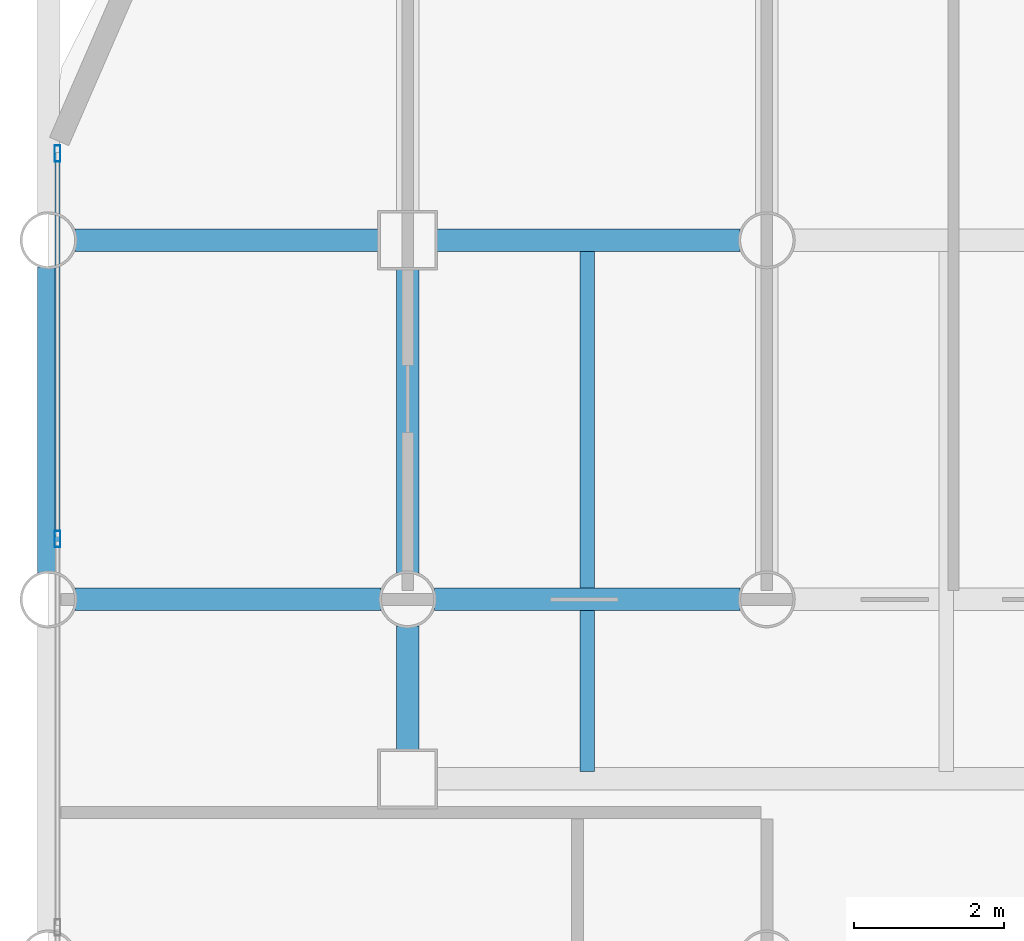
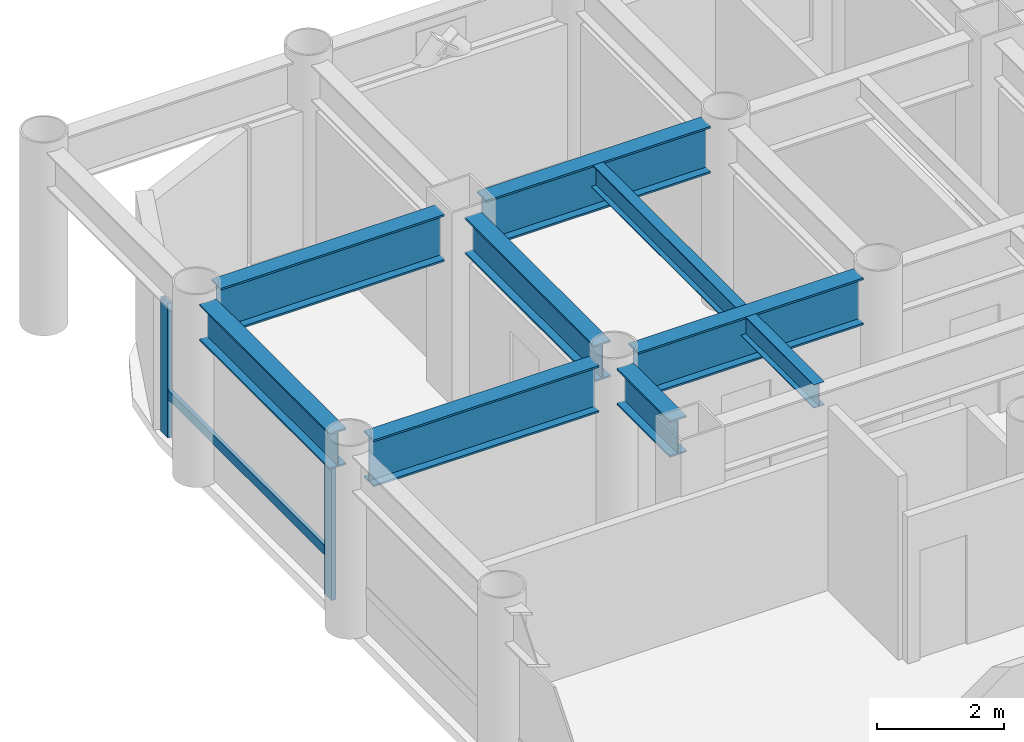
# One storey, part 9 of 21: 8 beams, 3 members, 1 element without a shape of its own.
"""IFC4 building model written with IfcOpenShell, lengths in metres."""

from ifc_helpers import new_model, si_unit, direction, frame, origin, origin_2d, place, context, subcontext, project, spatial, hollow_rectangle, i_section, extrude, material, layer, layer_set, material_profile, profile_set, type_object, element, aggregate, save


model = new_model("IFC4")

# Units and contexts
model_context = context("Model", 3, precision=1e-05, world=origin(), true_north=direction((0.0, 1.0)))
body_context = subcontext(model_context, "Body", "Model", "MODEL_VIEW")
ifc_project = project(units=[si_unit("LENGTHUNIT", "METRE"), si_unit("AREAUNIT", "SQUARE_METRE"), si_unit("VOLUMEUNIT", "CUBIC_METRE"), si_unit("PLANEANGLEUNIT", "RADIAN"), si_unit("MASSUNIT", "GRAM", prefix="KILO")], contexts=[model_context])

# Site, building, storey
site_placement = place(None, origin())
site = spatial("IfcSite", under=ifc_project, at=site_placement, CompositionType="ELEMENT")
building_placement = place(site_placement, origin())
building = spatial("IfcBuilding", under=site, at=building_placement, Name="Kallvorn Hotel Tower", CompositionType="ELEMENT")
storey_placement = place(building_placement, frame((0.0, 0.0, 81.800048828125)))
storey = spatial("IfcBuildingStorey", under=building, at=storey_placement, Name="L19", CompositionType="ELEMENT", Elevation=81.800048828125)

# Beams
ifc_material_1 = material(Name="Structural steel S355JR", Category="steel")
ifc_material_profile_1 = material_profile(ifc_material_1, i_section(OverallWidth=0.300048828125, OverallDepth=0.699951171875, WebThickness=0.01708984375, FlangeThickness=0.031982421875, at=origin_2d()), Name="HE 700 B")
ifc_profile_set_1 = profile_set([ifc_material_profile_1], Name="Structural steel S355JR")
beam_type_1 = type_object("IfcBeamType", Name="BM_HE700B", PredefinedType="BEAM", material=ifc_profile_set_1)
beam_1_placement = place(storey_placement, frame((-28.800048828125, 9.9560546875, 3.169921875), z_axis=(0.0, 1.0, 0.0), x_axis=(-1.0, 0.0, 0.0)))
element("IfcBeam", 1, at=beam_1_placement, inside=storey, type_object=beam_type_1, Name="L20 Primary Y-Girder 79", PredefinedType="BEAM", context=body_context, shape_type="SweptSolid", body=[
    extrude(i_section(OverallWidth=0.300048828125, OverallDepth=0.699951171875, WebThickness=0.01708984375, FlangeThickness=0.031982421875, at=origin_2d()), origin(), (0.0, 0.0, 1.0), 4.087890625),
])
beam_2_placement = place(storey_placement, frame((-24.0, 7.574951171875, 3.169921875), z_axis=(0.0, 1.0, 0.0), x_axis=(-1.0, 0.0, 0.0)))
element("IfcBeam", 2, at=beam_2_placement, inside=storey, type_object=beam_type_1, Name="L20 Primary Y-Girder 85", PredefinedType="BEAM", context=body_context, shape_type="SweptSolid", body=[
    extrude(i_section(OverallWidth=0.300048828125, OverallDepth=0.699951171875, WebThickness=0.01708984375, FlangeThickness=0.031982421875, at=origin_2d()), origin(), (0.0, 0.0, 1.0), 1.6689453125),
])
beam_3_placement = place(storey_placement, frame((-24.0, 9.9560546875, 3.169921875), z_axis=(0.0, 1.0, 0.0), x_axis=(-1.0, 0.0, 0.0)))
element("IfcBeam", 3, at=beam_3_placement, inside=storey, type_object=beam_type_1, Name="L20 Primary Y-Girder 86", PredefinedType="BEAM", context=body_context, shape_type="SweptSolid", body=[
    extrude(i_section(OverallWidth=0.300048828125, OverallDepth=0.699951171875, WebThickness=0.01708984375, FlangeThickness=0.031982421875, at=origin_2d()), origin(), (0.0, 0.0, 1.0), 4.06884765625),
])
ifc_material_2 = material(Name="Structural steel S355JR", Category="steel")
ifc_material_profile_2 = material_profile(ifc_material_2, i_section(OverallWidth=0.300048828125, OverallDepth=0.89990234375, WebThickness=0.0185546875, FlangeThickness=0.034912109375, at=origin_2d()), Name="HE 900 B")
ifc_profile_set_2 = profile_set([ifc_material_profile_2], Name="Structural steel S355JR")
beam_type_2 = type_object("IfcBeamType", Name="BM_HE900B", PredefinedType="BEAM", material=ifc_profile_set_2)
for number, where, z_axis, x_axis, name in (
    (4, (-28.444091796875, 9.60009765625, 3.070068359375), (1.0, 0.0, 0.0), (0.0, 1.0, 0.0), "L20 Primary X-Girder 42"),
    (5, (-23.64404296875, 9.60009765625, 3.070068359375), (1.0, 0.0, 0.0), (0.0, 1.0, 0.0), "L20 Primary X-Girder 43"),
):
    element("IfcBeam", number, at=place(storey_placement, frame(where, z_axis=z_axis, x_axis=x_axis)), inside=storey, type_object=beam_type_2, Name=name, PredefinedType="BEAM", context=body_context, shape_type="SweptSolid", body=[
        extrude(i_section(OverallWidth=0.300048828125, OverallDepth=0.89990234375, WebThickness=0.0185546875, FlangeThickness=0.034912109375, at=origin_2d()), origin(), (0.0, 0.0, 1.0), 4.088134765625),
    ])
for number, where, z_axis, x_axis, name in (
    (6, (-28.444091796875, 14.39990234375, 3.070068359375), (1.0, 0.0, 0.0), (0.0, 1.0, 0.0), "L20 Primary X-Girder 51"),
    (7, (-23.625, 14.39990234375, 3.070068359375), (1.0, 0.0, 0.0), (0.0, 1.0, 0.0), "L20 Primary X-Girder 52"),
):
    element("IfcBeam", number, at=place(storey_placement, frame(where, z_axis=z_axis, x_axis=x_axis)), inside=storey, type_object=beam_type_2, Name=name, PredefinedType="BEAM", context=body_context, shape_type="SweptSolid", body=[
        extrude(i_section(OverallWidth=0.300048828125, OverallDepth=0.89990234375, WebThickness=0.0185546875, FlangeThickness=0.034912109375, at=origin_2d()), origin(), (0.0, 0.0, 1.0), 4.069091796875),
    ])
ifc_material_3 = material(Name="Structural steel S355JR", Category="steel")
ifc_material_profile_3 = material_profile(ifc_material_3, i_section(OverallWidth=0.18994140625, OverallDepth=0.449951171875, WebThickness=0.009521484375, FlangeThickness=0.0146484375, at=origin_2d()), Name="IPE 450")
ifc_profile_set_3 = profile_set([ifc_material_profile_3], Name="Structural steel S355JR")
beam_type_3 = type_object("IfcBeamType", Name="BM_IPE450", PredefinedType="JOIST", material=ifc_profile_set_3)
beam_4_placement = place(storey_placement, frame((-21.60009765625, 7.300048828125, 3.294921875), z_axis=(0.0, 1.0, 0.0), x_axis=(-1.0, 0.0, 0.0)))
element("IfcBeam", 8, at=beam_4_placement, inside=storey, type_object=beam_type_3, Name="L20 Secondary Composite Joist 193", PredefinedType="JOIST", context=body_context, shape_type="SweptSolid", body=[
    extrude(i_section(OverallWidth=0.18994140625, OverallDepth=0.449951171875, WebThickness=0.009521484375, FlangeThickness=0.0146484375, at=origin_2d()), origin(), (0.0, 0.0, 1.0), 7.0),
])

# Curtain wall, members
ifc_material_4 = material(Name="Thermally broken black-anodised aluminium AA 6063-T6", Category="aluminium")
ifc_layer = layer(ifc_material_4, 0.199951171875)
ifc_layer_set = layer_set([ifc_layer], Name="CW_SYS_3_HOTEL_LOW")
curtain_wall_type = type_object("IfcCurtainWallType", Name="CW_SYS_3_HOTEL_LOW", PredefinedType="USERDEFINED", material=ifc_layer_set)
curtain_wall_placement = place(storey_placement, origin())
curtain_wall = element("IfcCurtainWall", 9, at=curtain_wall_placement, inside=storey, type_object=curtain_wall_type, Name="L19 Dark-Glass Curtain Wall CW-L19-WN", ObjectType="UNITISED CURTAIN WALL", PredefinedType="USERDEFINED")
ifc_material_5 = material(Name="Thermally broken black-anodised aluminium AA 6063-T6", Category="aluminium")
ifc_material_profile_4 = material_profile(ifc_material_5, hollow_rectangle(XDim=0.080078125, YDim=0.219970703125, WallThickness=0.0048828125, at=origin_2d()), Name="MUL 220x80")
ifc_profile_set_4 = profile_set([ifc_material_profile_4], Name="Thermally broken black-anodised aluminium AA 6063-T6")
member_type_1 = type_object("IfcMemberType", Name="CW_MULLION_220x80", PredefinedType="MULLION", material=ifc_profile_set_4)
member_1_placement = place(storey_placement, frame((-28.679931640625, 10.40673828125, 0.02001953125), z_axis=(0.0, 0.0, 1.0), x_axis=(1.0, 0.0, 0.0)))
member_1 = element("IfcMember", 10, at=member_1_placement, type_object=member_type_1, Name="CW-L19-WN Mullion 02", PredefinedType="MULLION", context=body_context, shape_type="SweptSolid", body=[
    extrude(hollow_rectangle(XDim=0.080078125, YDim=0.219970703125, WallThickness=0.0048828125, at=origin_2d()), origin(), (0.0, 0.0, 1.0), 2.579833984375),
])
member_2_placement = place(storey_placement, frame((-28.679931640625, 15.56005859375, 0.02001953125), z_axis=(0.0, 0.0, 1.0), x_axis=(1.0, 0.0, 0.0)))
member_2 = element("IfcMember", 11, at=member_2_placement, type_object=member_type_1, Name="CW-L19-WN Mullion 03", PredefinedType="MULLION", context=body_context, shape_type="SweptSolid", body=[
    extrude(hollow_rectangle(XDim=0.080078125, YDim=0.219970703125, WallThickness=0.0048828125, at=origin_2d()), origin(), (0.0, 0.0, 1.0), 2.579833984375),
])
ifc_material_6 = material(Name="Thermally broken black-anodised aluminium AA 6063-T6", Category="aluminium")
ifc_material_profile_5 = material_profile(ifc_material_6, hollow_rectangle(XDim=0.070068359375, YDim=0.179931640625, WallThickness=0.00390625, at=origin_2d()), Name="TRN 180x70")
ifc_profile_set_5 = profile_set([ifc_material_profile_5], Name="Thermally broken black-anodised aluminium AA 6063-T6")
member_type_2 = type_object("IfcMemberType", Name="CW_TRANSOM_180x70", PredefinedType="USERDEFINED", material=ifc_profile_set_5)
member_3_placement = place(storey_placement, frame((-28.679931640625, 10.44677734375, 0.849853515625), z_axis=(0.0, 1.0, 0.0), x_axis=(-1.0, 0.0, 0.0)))
member_3 = element("IfcMember", 12, at=member_3_placement, type_object=member_type_2, Name="CW-L19-WN Transom 02M", ObjectType="TRANSOM", PredefinedType="USERDEFINED", context=body_context, shape_type="SweptSolid", body=[
    extrude(hollow_rectangle(XDim=0.070068359375, YDim=0.179931640625, WallThickness=0.00390625, at=origin_2d()), origin(), (0.0, 0.0, 1.0), 5.11328125),
])
aggregate(curtain_wall, [member_1, member_2, member_3])

save(model, "model.ifc")
